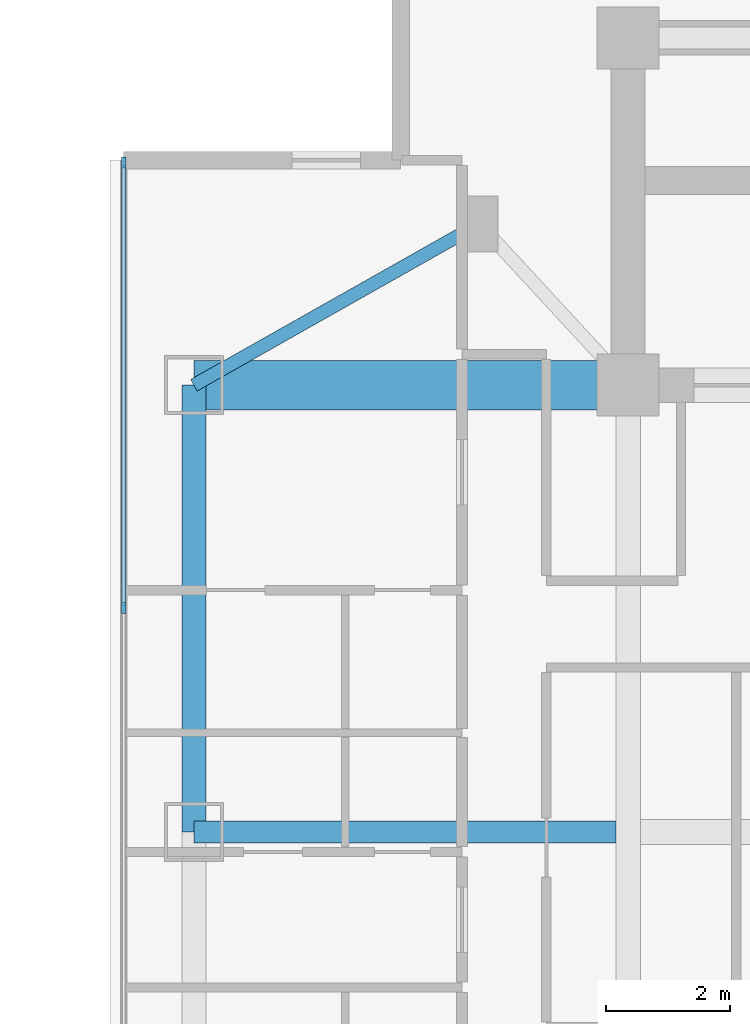
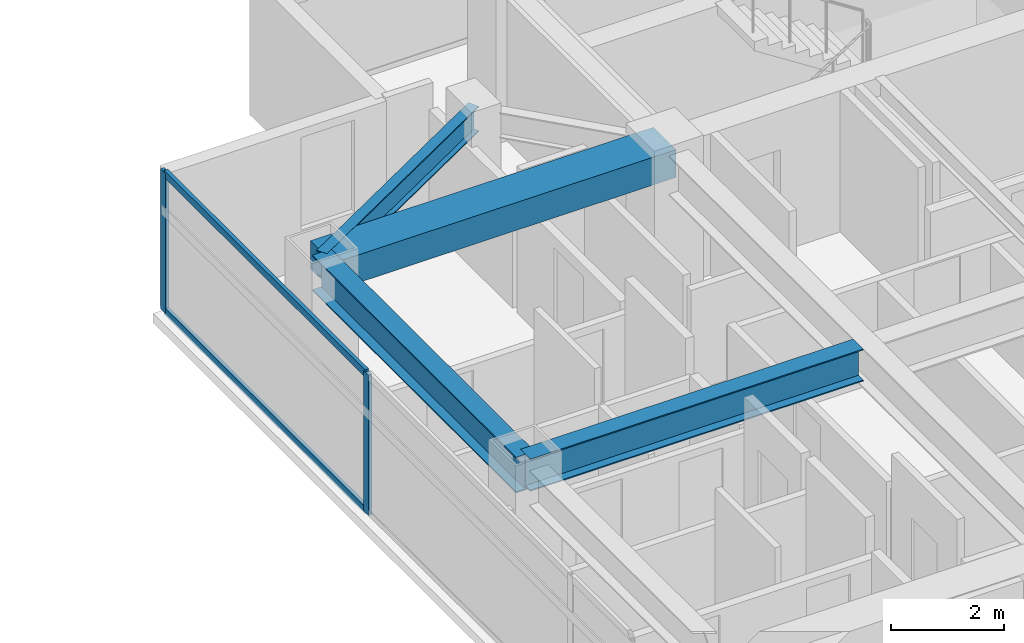
# One storey, part 7 of 24: 4 beams, 4 members, 1 element without a shape of its own.
"""IFC4 building model written with IfcOpenShell, lengths in metres."""

from ifc_helpers import new_model, si_unit, direction, frame, origin, origin_2d, place, context, subcontext, project, spatial, rectangle, i_section, extrude, material, material_profile, profile_set, type_object, element, aggregate, save


model = new_model("IFC4")

# Units and contexts
model_context = context("Model", 3, precision=1e-05, world=origin(), true_north=direction((0.0, 1.0)))
body_context = subcontext(model_context, "Body", "Model", "MODEL_VIEW")
ifc_project = project(units=[si_unit("LENGTHUNIT", "METRE"), si_unit("AREAUNIT", "SQUARE_METRE"), si_unit("VOLUMEUNIT", "CUBIC_METRE"), si_unit("PLANEANGLEUNIT", "RADIAN"), si_unit("MASSUNIT", "GRAM", prefix="KILO")], contexts=[model_context])

# Site, building, storey
site_placement = place(None, origin())
site = spatial("IfcSite", under=ifc_project, at=site_placement, CompositionType="ELEMENT")
building_placement = place(site_placement, origin())
building = spatial("IfcBuilding", under=site, at=building_placement, Name="Mirazonda Arch Towers", CompositionType="ELEMENT")
storey_placement = place(building_placement, frame((0.0, 0.0, 154.39990234375)))
storey = spatial("IfcBuildingStorey", under=building, at=storey_placement, Name="L43", CompositionType="ELEMENT", Elevation=154.39990234375)

# Beams
ifc_material_1 = material(Name="Steel ASTM A992 Grade 50", Category="steel")
ifc_material_profile_1 = material_profile(ifc_material_1, i_section(OverallWidth=0.381103515625, OverallDepth=0.77294921875, WebThickness=0.0166015625, FlangeThickness=0.027099609375, at=origin_2d()), Name="W30X173")
ifc_profile_set_1 = profile_set([ifc_material_profile_1], Name="Steel ASTM A992 Grade 50")
beam_type_1 = type_object("IfcBeamType", Name="BM-EXT-W30X173", PredefinedType="USERDEFINED", material=ifc_profile_set_1)
beam_1_placement = place(storey_placement, frame((61.0, 28.0, 2.66357421875), z_axis=(0.0, 1.0, 0.0), x_axis=(-1.0, 0.0, 0.0)))
element("IfcBeam", 1, at=beam_1_placement, inside=storey, type_object=beam_type_1, Name="L43 Floor Beam BM-T2-L43-NS-W-28", ObjectType="GIRDER", PredefinedType="USERDEFINED", context=body_context, shape_type="SweptSolid", body=[
    extrude(i_section(OverallWidth=0.381103515625, OverallDepth=0.77294921875, WebThickness=0.0166015625, FlangeThickness=0.027099609375, at=origin_2d()), origin(), (0.0, 0.0, 1.0), 7.199951171875),
])
ifc_material_profile_2 = material_profile(ifc_material_1, i_section(OverallWidth=0.214111328125, OverallDepth=0.549072265625, WebThickness=0.0146484375, FlangeThickness=0.023681640625, at=origin_2d()), Name="W21X93")
ifc_profile_set_2 = profile_set([ifc_material_profile_2], Name="Steel ASTM A992 Grade 50")
beam_type_2 = type_object("IfcBeamType", Name="BM-INT-W21X93", PredefinedType="BEAM", material=ifc_profile_set_2)
beam_2_placement = place(storey_placement, frame((65.60009765625, 37.800048828125, 2.775634765625), z_axis=(-0.870559396632, -0.492063346467, 0.0), x_axis=(0.492063346467, -0.870559396632, 0.0)))
element("IfcBeam", 2, at=beam_2_placement, inside=storey, type_object=beam_type_2, Name="L43 Floor Beam BM-T2-L43-PL-NW2", PredefinedType="BEAM", context=body_context, shape_type="SweptSolid", body=[
    extrude(i_section(OverallWidth=0.214111328125, OverallDepth=0.549072265625, WebThickness=0.0146484375, FlangeThickness=0.023681640625, at=origin_2d()), origin(), (0.0, 0.0, 1.0), 5.2841796875),
])
ifc_material_profile_3 = material_profile(ifc_material_1, i_section(OverallWidth=0.35498046875, OverallDepth=0.696044921875, WebThickness=0.015380859375, FlangeThickness=0.02490234375, at=origin_2d()), Name="W27X146")
ifc_profile_set_3 = profile_set([ifc_material_profile_3], Name="Steel ASTM A992 Grade 50")
beam_type_3 = type_object("IfcBeamType", Name="BM-INT-W27X146", PredefinedType="BEAM", material=ifc_profile_set_3)
beam_3_placement = place(storey_placement, frame((61.0, 28.0, 2.7021484375), z_axis=(1.0, 0.0, 0.0), x_axis=(0.0, 1.0, 0.0)))
element("IfcBeam", 3, at=beam_3_placement, inside=storey, type_object=beam_type_3, Name="L43 Floor Beam BM-T2-L43-GW2", PredefinedType="BEAM", context=body_context, shape_type="SweptSolid", body=[
    extrude(i_section(OverallWidth=0.35498046875, OverallDepth=0.696044921875, WebThickness=0.015380859375, FlangeThickness=0.02490234375, at=origin_2d()), origin(), (0.0, 0.0, 1.0), 6.800048828125),
])
ifc_material_2 = material(Name="Concrete C60/75", Category="concrete")
ifc_material_profile_4 = material_profile(ifc_material_2, rectangle(XDim=0.800048828125, YDim=0.60009765625, at=origin_2d()), Name="RCCB800x600")
ifc_profile_set_4 = profile_set([ifc_material_profile_4], Name="Concrete C60/75")
beam_type_4 = type_object("IfcBeamType", Name="CB-INT-RCCB800x600", PredefinedType="SPANDREL", material=ifc_profile_set_4)
beam_4_placement = place(storey_placement, frame((61.0, 35.199951171875, 2.75), z_axis=(1.0, 0.0, 0.0), x_axis=(0.0, 1.0, 0.0)))
element("IfcBeam", 4, at=beam_4_placement, inside=storey, type_object=beam_type_4, Name="L43 Floor Beam CBC-T2-L43-NW", PredefinedType="SPANDREL", context=body_context, shape_type="SweptSolid", body=[
    extrude(rectangle(XDim=0.800048828125, YDim=0.60009765625, at=origin_2d()), origin(), (0.0, 0.0, 1.0), 7.0),
])

# Curtain wall, members
ifc_material_3 = material(Name="Anodised Aluminium and Low-E Glass", Category="aluminium")
curtain_wall_type = type_object("IfcCurtainWallType", Name="CW-RES-UNIT", PredefinedType="NOTDEFINED", material=ifc_material_3)
curtain_wall_placement = place(storey_placement, origin())
curtain_wall = element("IfcCurtainWall", 5, at=curtain_wall_placement, inside=storey, type_object=curtain_wall_type, Name="L43 T2 W Facade CW-L43-T2-W", PredefinedType="NOTDEFINED")
ifc_material_4 = material(Name="Anodised Aluminium Alloy", Category="aluminium")
ifc_material_profile_5 = material_profile(ifc_material_4, rectangle(XDim=0.074951171875, YDim=0.175048828125, at=origin_2d()), Name="ALU-MULL-75x175")
ifc_profile_set_5 = profile_set([ifc_material_profile_5], Name="Anodised Aluminium Alloy")
member_type_1 = type_object("IfcMemberType", Name="MULL-CW-RES-UNIT", PredefinedType="MULLION", material=ifc_profile_set_5)
member_1_placement = place(storey_placement, frame((59.867431640625, 38.788818359375, 0.0), z_axis=(0.0, 0.0, 1.0), x_axis=(1.0, 0.0, 0.0)))
member_1 = element("IfcMember", 6, at=member_1_placement, type_object=member_type_1, Name="CW-104 mullion 1", PredefinedType="MULLION", context=body_context, shape_type="SweptSolid", body=[
    extrude(rectangle(XDim=0.074951171875, YDim=0.175048828125, at=origin_2d()), origin(), (0.0, 0.0, 1.0), 3.030029296875),
])
member_2_placement = place(storey_placement, frame((59.867431640625, 31.60888671875, 0.0), z_axis=(0.0, 0.0, 1.0), x_axis=(1.0, 0.0, 0.0)))
member_2 = element("IfcMember", 7, at=member_2_placement, type_object=member_type_1, Name="CW-104 mullion 2", PredefinedType="MULLION", context=body_context, shape_type="SweptSolid", body=[
    extrude(rectangle(XDim=0.074951171875, YDim=0.175048828125, at=origin_2d()), origin(), (0.0, 0.0, 1.0), 3.030029296875),
])
ifc_material_profile_6 = material_profile(ifc_material_4, rectangle(XDim=0.074951171875, YDim=0.155029296875, at=origin_2d()), Name="ALU-TRAN-75x155")
ifc_profile_set_6 = profile_set([ifc_material_profile_6], Name="Anodised Aluminium Alloy")
member_type_2 = type_object("IfcMemberType", Name="TRAN-CW-RES-UNIT", PredefinedType="USERDEFINED", material=ifc_profile_set_6)
member_3_placement = place(storey_placement, frame((59.867431640625, 38.751220703125, 0.03759765625), z_axis=(0.0, -1.0, 0.0), x_axis=(1.0, 0.0, 0.0)))
member_3 = element("IfcMember", 8, at=member_3_placement, type_object=member_type_2, Name="CW-104 transom 1.1", ObjectType="TRANSOM", PredefinedType="USERDEFINED", context=body_context, shape_type="SweptSolid", body=[
    extrude(rectangle(XDim=0.074951171875, YDim=0.155029296875, at=origin_2d()), origin(), (0.0, 0.0, 1.0), 7.10498046875),
])
member_4_placement = place(storey_placement, frame((59.867431640625, 38.751220703125, 2.99267578125), z_axis=(0.0, -1.0, 0.0), x_axis=(1.0, 0.0, 0.0)))
member_4 = element("IfcMember", 9, at=member_4_placement, type_object=member_type_2, Name="CW-104 transom 1.2", ObjectType="TRANSOM", PredefinedType="USERDEFINED", context=body_context, shape_type="SweptSolid", body=[
    extrude(rectangle(XDim=0.074951171875, YDim=0.155029296875, at=origin_2d()), origin(), (0.0, 0.0, 1.0), 7.10498046875),
])
aggregate(curtain_wall, [member_1, member_2, member_3, member_4])

save(model, "model.ifc")
